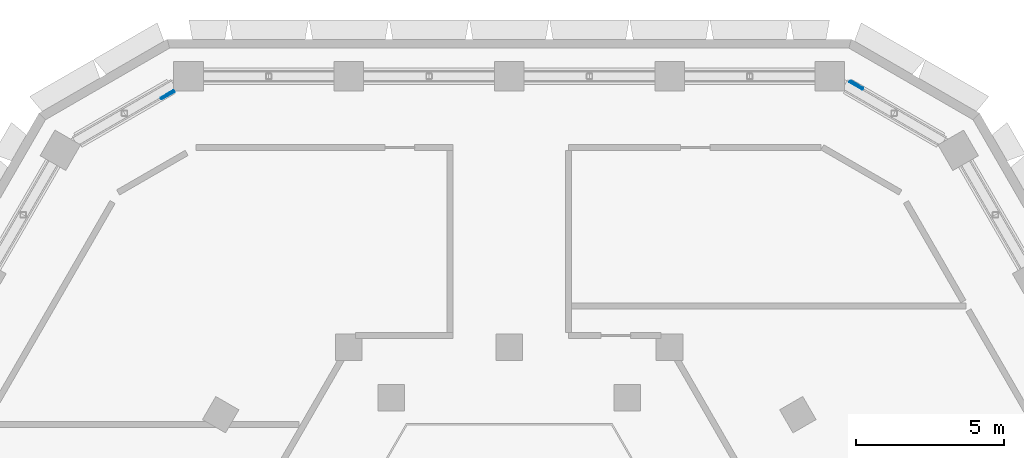
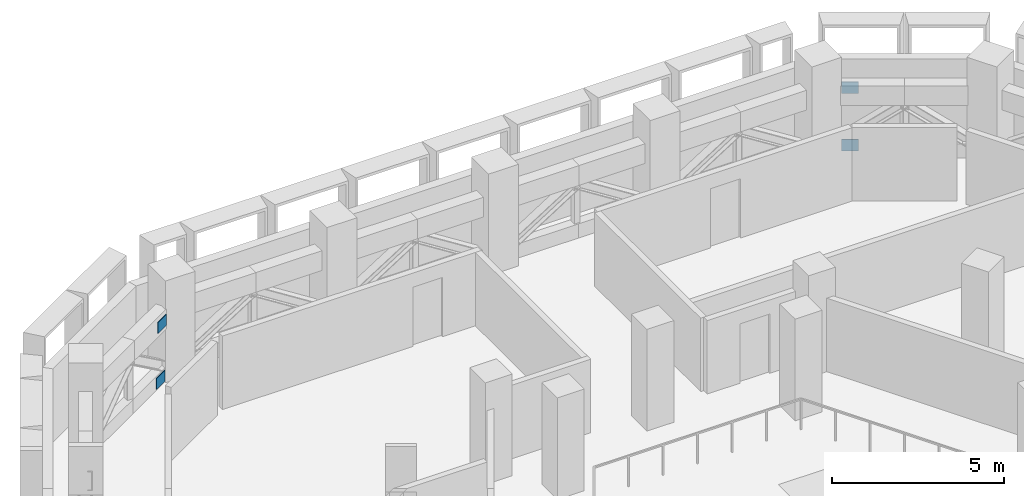
# One storey, part 16 of 23: 4 discrete accessories.
"""IFC4 building model written with IfcOpenShell, lengths in metres."""

import ifcopenshell
import ifcopenshell.guid

model = None  # the IFC model being written
_history = None  # IfcOwnerHistory: only IFC2X3 demands one
_inside = {}  # id of a spatial element -> (the spatial element, [elements in it])
_under = {}  # id of a project, library or spatial element -> (it, [spatial elements below it])
_declared = {}  # id of a project -> (the project, [libraries it declares])
_typed = {}  # id of a type object -> (the type object, [elements of that type])
_made_of = {}  # id of a material, layer set ... -> (it, [elements and type objects made of it])


def new_model(schema):
    """Start an empty IFC model of exactly this schema.

    Asked for "IFC4X3", IfcOpenShell would pick the latest addendum, in which some entities
    have other attributes; the version numbers below select the first issue.
    IFC2X3 requires an IfcOwnerHistory on every rooted entity: one is made here for all.
    """
    global model, _history
    if schema == "IFC4X3":
        model = ifcopenshell.file(schema_version=(4, 3, 0, 0))
    else:
        model = ifcopenshell.file(schema=schema)
    _inside.clear()
    _under.clear()
    _declared.clear()
    _typed.clear()
    _made_of.clear()
    _history = None
    if model.schema == "IFC2X3":
        org = make("IfcOrganization", Name="unknown")
        user = make(
            "IfcPersonAndOrganization",
            ThePerson=make("IfcPerson", FamilyName="unknown"),
            TheOrganization=org,
        )
        app = make(
            "IfcApplication",
            ApplicationDeveloper=org,
            Version="unknown",
            ApplicationFullName="unknown",
            ApplicationIdentifier="unknown",
        )
        _history = make(
            "IfcOwnerHistory",
            OwningUser=user,
            OwningApplication=app,
            ChangeAction="ADDED",
            CreationDate=0,
        )
    return model


def make(cls, **values):
    """One entity of the class cls with the attributes given. An attribute that is None is left unset."""
    return model.create_entity(
        cls, **{name: value for name, value in values.items() if value is not None}
    )


def rooted(cls, **values):
    """An entity with a GlobalId (a new one), such as an element, a storey or a relation."""
    return make(cls, GlobalId=ifcopenshell.guid.new(), OwnerHistory=_history, **values)


def si_unit(unit_type, name, prefix=None):
    """IfcSIUnit, for example si_unit("LENGTHUNIT", "METRE", prefix="MILLI")."""
    return make("IfcSIUnit", UnitType=unit_type, Prefix=prefix, Name=name)


def assignment(units):
    """IfcUnitAssignment: the units of a project."""
    return None if units is None else make("IfcUnitAssignment", Units=units)


def point(xyz):
    """IfcCartesianPoint."""
    return None if xyz is None else make("IfcCartesianPoint", Coordinates=xyz)


def direction(xyz):
    """IfcDirection."""
    return None if xyz is None else make("IfcDirection", DirectionRatios=xyz)


def frame(location, z_axis=None, x_axis=None):
    """IfcAxis2Placement3D, a coordinate frame: its origin and axes. An axis left out is left unset."""
    return make(
        "IfcAxis2Placement3D",
        Location=point(location),
        Axis=direction(z_axis),
        RefDirection=direction(x_axis),
    )


def frame_2d(location, x_axis=None):
    """IfcAxis2Placement2D, a coordinate frame in the plane: its origin and x axis."""
    return make(
        "IfcAxis2Placement2D", Location=point(location), RefDirection=direction(x_axis)
    )


def origin():
    """The frame at (0, 0, 0) with its axes left unset."""
    return frame((0.0, 0.0, 0.0))


def origin_2d():
    """The frame at (0, 0) in the plane with its x axis left unset."""
    return frame_2d((0.0, 0.0))


def place(relative_to, where):
    """IfcLocalPlacement: puts the frame where relative to a parent placement (None: the world)."""
    return make(
        "IfcLocalPlacement", PlacementRelTo=relative_to, RelativePlacement=where
    )


def context(
    kind, dimensions, precision=None, world=None, true_north=None, identifier=None
):
    """IfcGeometricRepresentationContext, for example the 3D "Model" context."""
    return make(
        "IfcGeometricRepresentationContext",
        ContextIdentifier=identifier,
        ContextType=kind,
        CoordinateSpaceDimension=dimensions,
        Precision=precision,
        WorldCoordinateSystem=world,
        TrueNorth=true_north,
    )


def subcontext(parent, identifier, kind, view, scale=None):
    """IfcGeometricRepresentationSubContext, for example "Body" below "Model"."""
    return make(
        "IfcGeometricRepresentationSubContext",
        ContextIdentifier=identifier,
        ContextType=kind,
        ParentContext=parent,
        TargetScale=scale,
        TargetView=view,
    )


def project(units=None, contexts=None):
    """IfcProject with its units and contexts."""
    return rooted(
        "IfcProject",
        Name="project",
        RepresentationContexts=contexts,
        UnitsInContext=assignment(units),
    )


def spatial(cls, under=None, at=None, **own):
    """A site, building, storey or space (cls), placed at a placement, below another one or the project."""
    s = rooted(cls, ObjectPlacement=at, **own)
    if under is not None:
        _under.setdefault(under.id(), (under, []))[1].append(s)
    return s


def profile(cls, at=None, kind="AREA", **sizes):
    """A parametric profile (cls). Its sizes go by their IFC names, for example OverallWidth=200.0."""
    return make(cls, ProfileType=kind, Position=at, **sizes)


def rectangle(**sizes):
    """IfcRectangleProfileDef."""
    return profile("IfcRectangleProfileDef", **sizes)


def extrude(swept, where, along, depth):
    """IfcExtrudedAreaSolid: the profile swept, set in the frame where, extruded along a direction by depth."""
    return make(
        "IfcExtrudedAreaSolid",
        SweptArea=swept,
        Position=where,
        ExtrudedDirection=direction(along),
        Depth=depth,
    )


def shape(context_of_items, identifier, shape_type, items):
    """IfcShapeRepresentation: the items that make up one representation, for example the "Body"."""
    return make(
        "IfcShapeRepresentation",
        ContextOfItems=context_of_items,
        RepresentationIdentifier=identifier,
        RepresentationType=shape_type,
        Items=items,
    )


def material(Name=None, Category=None):
    """IfcMaterial."""
    return make("IfcMaterial", Name=Name, Category=Category)


def made_of(thing, what):
    """Note that an element or type object is made of a material, layer set ...; save() writes the relation."""
    if what is not None:
        _made_of.setdefault(what.id(), (what, []))[1].append(thing)
    return thing


def type_object(cls, material=None, **own):
    """A type object (cls), such as IfcWallType, which elements share."""
    return made_of(rooted(cls, **own), material)


def element(
    cls,
    number,
    at=None,
    inside=None,
    cuts=None,
    type_object=None,
    material=None,
    context=None,
    identifier="Body",
    shape_type=None,
    held_by="IfcProductDefinitionShape",
    body=None,
    shapes=None,
    **own,
):
    """One element of the class cls, such as IfcWall. Its Tag is "e" and its number.

    at: its placement. inside: the storey or other place that contains it. cuts: it is an
    opening in that element (IfcRelVoidsElement). A single representation is given by context,
    identifier, shape_type and body (its items); several are given by shapes. held_by: the class
    of the entity that holds the representations. save() writes the other relations.
    """
    e = rooted(cls, Tag="e%d" % number, ObjectPlacement=at, **own)
    if body is not None:
        shapes = [shape(context, identifier, shape_type, body)]
    if shapes is not None:
        e.Representation = make(held_by, Representations=shapes)
    if inside is not None:
        _inside.setdefault(inside.id(), (inside, []))[1].append(e)
    if cuts is not None:
        rooted(
            "IfcRelVoidsElement", RelatingBuildingElement=cuts, RelatedOpeningElement=e
        )
    if type_object is not None:
        _typed.setdefault(type_object.id(), (type_object, []))[1].append(e)
    return made_of(e, material)


def aggregate(whole, parts):
    """IfcRelAggregates: a whole, such as a stair, and the parts it consists of."""
    return rooted("IfcRelAggregates", RelatingObject=whole, RelatedObjects=parts)


def save(model, path):
    """Write the relations noted so far, then the file.

    IfcRelAggregates (storeys below a building ...), IfcRelContainedInSpatialStructure (elements
    in a storey), IfcRelDefinesByType, IfcRelAssociatesMaterial and IfcRelDeclares: one each for
    every whole, place, type object, material and project.
    """
    for whole, parts in _under.values():
        aggregate(whole, parts)
    for where, things in _inside.values():
        rooted(
            "IfcRelContainedInSpatialStructure",
            RelatedElements=things,
            RelatingStructure=where,
        )
    for kind, things in _typed.values():
        rooted("IfcRelDefinesByType", RelatedObjects=things, RelatingType=kind)
    for what, things in _made_of.values():
        rooted("IfcRelAssociatesMaterial", RelatedObjects=things, RelatingMaterial=what)
    for by, libraries in _declared.values():
        rooted("IfcRelDeclares", RelatingContext=by, RelatedDefinitions=libraries)
    model.write(path)


model = new_model("IFC4")

# Units and contexts
model_context = context("Model", 3, precision=1e-05, world=origin(), true_north=direction((0.0, 1.0)))
body_context = subcontext(model_context, "Body", "Model", "MODEL_VIEW")
ifc_project = project(units=[si_unit("LENGTHUNIT", "METRE"), si_unit("AREAUNIT", "SQUARE_METRE"), si_unit("VOLUMEUNIT", "CUBIC_METRE"), si_unit("PLANEANGLEUNIT", "RADIAN"), si_unit("MASSUNIT", "GRAM", prefix="KILO")], contexts=[model_context])

# Site, building, storey
site_placement = place(None, origin())
site = spatial("IfcSite", under=ifc_project, at=site_placement, CompositionType="ELEMENT")
building_placement = place(site_placement, origin())
building = spatial("IfcBuilding", under=site, at=building_placement, Name="Beryl Residences", CompositionType="ELEMENT")
storey_placement = place(building_placement, frame((0.0, 0.0, 108.0)))
storey = spatial("IfcBuildingStorey", under=building, at=storey_placement, Name="L33", CompositionType="ELEMENT", Elevation=108.0)

# Discrete accessories
ifc_material = material(Name="Steel S355", Category="steel")
discrete_accessory_type = type_object("IfcDiscreteAccessoryType", Name="GP1 chord end gusset plate 500 x 400 x 25 mm", PredefinedType="BRACKET", material=ifc_material)
for number, where, z_axis, x_axis, name in (
    (1, (-11.52392578125, 25.10205078125, 2.050048828125), (0.0, 0.0, 1.0), (-0.8660053318, -0.500034764085, 0.0), "GP1 gusset plate L33 Ta N-4"),
    (2, (-11.549072265625, 25.14599609375, 0.050048828125), (0.0, 0.0, 1.0), (-0.8660053318, -0.500034764085, 0.0), "GP1 gusset plate L33 Ba N-4"),
    (3, (11.73388671875, 25.469970703125, 2.050048828125), (0.0, 0.0, 1.0), (0.866069033718, -0.499924423123, 0.0), "GP1 gusset plate L33 Tb NE-5"),
    (4, (11.708984375, 25.427001953125, 0.050048828125), (0.0, 0.0, 1.0), (0.866069033718, -0.499924423123, 0.0), "GP1 gusset plate L33 Bb NE-5"),
):
    element("IfcDiscreteAccessory", number, at=place(storey_placement, frame(where, z_axis=z_axis, x_axis=x_axis)), inside=storey, type_object=discrete_accessory_type, Name=name, PredefinedType="BRACKET", context=body_context, shape_type="SweptSolid", body=[
        extrude(rectangle(XDim=0.5, YDim=0.02490234375, at=origin_2d()), origin(), (0.0, 0.0, 1.0), 0.39990234375),
    ])

save(model, "model.ifc")
